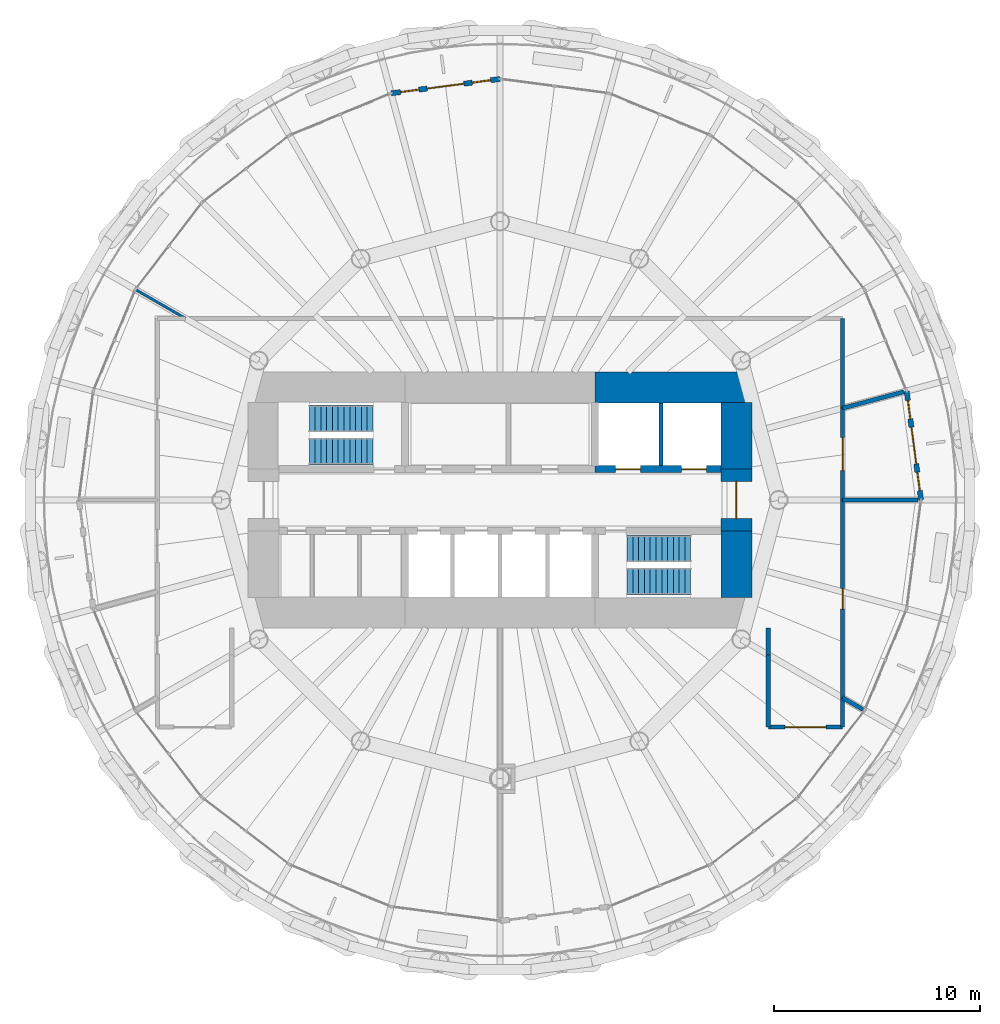
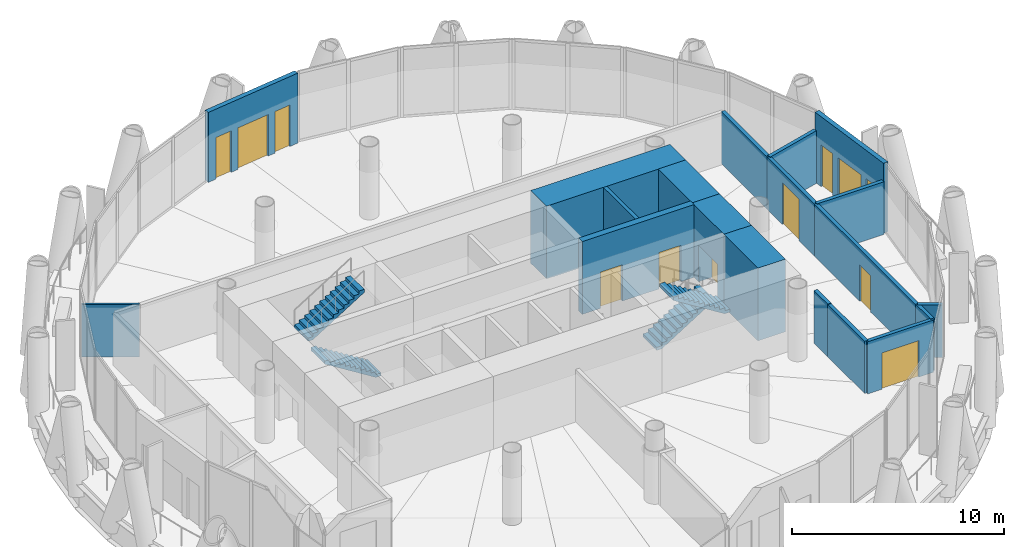
# One storey, part 11 of 14: 19 walls, 8 doors, 4 stair flights, 4 windows, 12 openings, 2 elements without a shape of their own.
"""IFC4 building model written with IfcOpenShell, lengths in metres."""

from ifc_helpers import new_model, si_unit, direction, frame, frame_2d, origin, place, context, subcontext, project, spatial, polyline, rectangle, outline, extrude, material, layer, layer_set, type_object, element, fill, aggregate, save


model = new_model("IFC4")

# Units and contexts
model_context = context("Model", 3, precision=1e-05, world=origin(), true_north=direction((0.0, 1.0)))
body_context = subcontext(model_context, "Body", "Model", "MODEL_VIEW")
ifc_project = project(units=[si_unit("LENGTHUNIT", "METRE"), si_unit("AREAUNIT", "SQUARE_METRE"), si_unit("VOLUMEUNIT", "CUBIC_METRE"), si_unit("PLANEANGLEUNIT", "RADIAN"), si_unit("MASSUNIT", "GRAM", prefix="KILO")], contexts=[model_context])

# Site, building, storey
site_placement = place(None, origin())
site = spatial("IfcSite", under=ifc_project, at=site_placement, CompositionType="ELEMENT")
building_placement = place(site_placement, origin())
building = spatial("IfcBuilding", under=site, at=building_placement, Name="Qaws Media Tower", CompositionType="ELEMENT")
storey_placement = place(building_placement, frame((0.0, 0.0, 215.0)))
storey = spatial("IfcBuildingStorey", under=building, at=storey_placement, Name="L49", CompositionType="ELEMENT", Elevation=215.0)

# Wall, openings, door, windows
ifc_material_1 = material(Name="Precast concrete, exposed finish", Category="concrete")
ifc_layer_1 = layer(ifc_material_1, 0.25)
ifc_layer_set_1 = layer_set([ifc_layer_1], Name="Balcony door wall 250")
wall_type_1 = type_object("IfcWallType", Name="Balcony door wall 250", PredefinedType="SOLIDWALL", material=ifc_layer_set_1)
wall_1_placement = place(storey_placement, frame((80.39990234375, 50.0, 0.0), z_axis=(0.0, 0.0, 1.0), x_axis=(-0.130514991371, 0.991446335929, 0.0)))
wall_1 = element("IfcWall", 1, at=wall_1_placement, inside=storey, type_object=wall_type_1, Name="W235 EW1 balcony door wall L49-01", PredefinedType="SOLIDWALL", context=body_context, shape_type="SweptSolid", body=[
    extrude(rectangle(XDim=5.32568359375, YDim=0.25, at=frame_2d((2.662841796875, 0.0))), origin(), (0.0, 0.0, 1.0), 4.0400390625),
])
opening_1_placement = place(wall_1_placement, frame((1.7626953125, 0.0, 0.0)))
opening_1 = element("IfcOpeningElement", 2, at=opening_1_placement, cuts=wall_1, Name="Opening D7", PredefinedType="OPENING", context=body_context, shape_type="SweptSolid", body=[
    extrude(rectangle(XDim=1.800048828125, YDim=2.39990234375, at=frame_2d((0.89990234375, 1.199951171875))), frame((0.0, 0.135009765625, 0.0), z_axis=(0.0, -1.0, 0.0), x_axis=(1.0, 0.0, 0.0)), (0.0, 0.0, 1.0), 0.27001953125),
])
opening_2_placement = place(wall_1_placement, frame((0.462646484375, 0.0, 0.0)))
opening_2 = element("IfcOpeningElement", 3, at=opening_2_placement, cuts=wall_1, Name="Opening W7", PredefinedType="OPENING", context=body_context, shape_type="SweptSolid", body=[
    extrude(rectangle(XDim=0.89990234375, YDim=2.39990234375, at=frame_2d((0.449951171875, 1.199951171875))), frame((0.0, 0.135009765625, 0.0), z_axis=(0.0, -1.0, 0.0), x_axis=(1.0, 0.0, 0.0)), (0.0, 0.0, 1.0), 0.27001953125),
])
opening_3_placement = place(wall_1_placement, frame((3.962646484375, 0.0, 0.0)))
opening_3 = element("IfcOpeningElement", 4, at=opening_3_placement, cuts=wall_1, Name="Opening W7", PredefinedType="OPENING", context=body_context, shape_type="SweptSolid", body=[
    extrude(rectangle(XDim=0.89990234375, YDim=2.39990234375, at=frame_2d((0.449951171875, 1.199951171875))), frame((0.0, 0.135009765625, 0.0), z_axis=(0.0, -1.0, 0.0), x_axis=(1.0, 0.0, 0.0)), (0.0, 0.0, 1.0), 0.27001953125),
])
ifc_material_2 = material(Name="Aluminium and clear glass", Category="aluminium")
door_type_1 = type_object("IfcDoorType", Name="Balcony door pair 1800", OperationType="DOUBLE_DOOR_SLIDING", PredefinedType="DOOR", material=ifc_material_2)
door_1_placement = place(opening_1_placement, origin())
door_1 = element("IfcDoor", 5, at=door_1_placement, inside=storey, type_object=door_type_1, Name="D7 balcony door L49-01 in wall W235", OperationType="DOUBLE_DOOR_SLIDING", OverallHeight=2.39990234375, OverallWidth=1.800048828125, PredefinedType="DOOR", context=body_context, shape_type="SweptSolid", body=[
    extrude(rectangle(XDim=1.800048828125, YDim=2.39990234375, at=frame_2d((0.89990234375, 1.199951171875))), frame((0.0, 0.02490234375, 0.0), z_axis=(0.0, -1.0, 0.0), x_axis=(1.0, 0.0, 0.0)), (0.0, 0.0, 1.0), 0.050048828125),
])
fill(opening_1, door_1)
ifc_material_3 = material(Name="Aluminium and clear glass", Category="aluminium")
window_type = type_object("IfcWindowType", Name="Balcony side window 900", PartitioningType="SINGLE_PANEL", PredefinedType="WINDOW", material=ifc_material_3)
window_1_placement = place(opening_2_placement, origin())
window_1 = element("IfcWindow", 6, at=window_1_placement, inside=storey, type_object=window_type, Name="W1 balcony side light L49-01L", OverallHeight=2.39990234375, OverallWidth=0.89990234375, PartitioningType="SINGLE_PANEL", PredefinedType="WINDOW", context=body_context, shape_type="SweptSolid", body=[
    extrude(rectangle(XDim=0.89990234375, YDim=2.39990234375, at=frame_2d((0.449951171875, 1.199951171875))), frame((0.0, 0.030029296875, 0.0), z_axis=(0.0, -1.0, 0.0), x_axis=(1.0, 0.0, 0.0)), (0.0, 0.0, 1.0), 0.06005859375),
])
fill(opening_2, window_1)
window_2_placement = place(opening_3_placement, origin())
window_2 = element("IfcWindow", 7, at=window_2_placement, inside=storey, type_object=window_type, Name="W1 balcony side light L49-01R", OverallHeight=2.39990234375, OverallWidth=0.89990234375, PartitioningType="SINGLE_PANEL", PredefinedType="WINDOW", context=body_context, shape_type="SweptSolid", body=[
    extrude(rectangle(XDim=0.89990234375, YDim=2.39990234375, at=frame_2d((0.449951171875, 1.199951171875))), frame((0.0, 0.030029296875, 0.0), z_axis=(0.0, -1.0, 0.0), x_axis=(1.0, 0.0, 0.0)), (0.0, 0.0, 1.0), 0.06005859375),
])
fill(opening_3, window_2)

wall_2_placement = place(storey_placement, frame((60.0, 70.39990234375, 0.0), z_axis=(0.0, 0.0, 1.0), x_axis=(-0.991446335929, -0.130514991371, 0.0)))
wall_2 = element("IfcWall", 8, at=wall_2_placement, inside=storey, type_object=wall_type_1, Name="W234 EW1 balcony door wall L49-07", PredefinedType="SOLIDWALL", context=body_context, shape_type="SweptSolid", body=[
    extrude(rectangle(XDim=5.32568359375, YDim=0.25, at=frame_2d((2.662841796875, 0.0))), origin(), (0.0, 0.0, 1.0), 4.0400390625),
])
opening_4_placement = place(wall_2_placement, frame((1.7626953125, 0.0, 0.0)))
opening_4 = element("IfcOpeningElement", 9, at=opening_4_placement, cuts=wall_2, Name="Opening D7", PredefinedType="OPENING", context=body_context, shape_type="SweptSolid", body=[
    extrude(rectangle(XDim=1.800048828125, YDim=2.39990234375, at=frame_2d((0.89990234375, 1.199951171875))), frame((0.0, 0.135009765625, 0.0), z_axis=(0.0, -1.0, 0.0), x_axis=(1.0, 0.0, 0.0)), (0.0, 0.0, 1.0), 0.27001953125),
])
opening_5_placement = place(wall_2_placement, frame((0.462646484375, 0.0, 0.0)))
opening_5 = element("IfcOpeningElement", 10, at=opening_5_placement, cuts=wall_2, Name="Opening W7", PredefinedType="OPENING", context=body_context, shape_type="SweptSolid", body=[
    extrude(rectangle(XDim=0.89990234375, YDim=2.39990234375, at=frame_2d((0.449951171875, 1.199951171875))), frame((0.0, 0.135009765625, 0.0), z_axis=(0.0, -1.0, 0.0), x_axis=(1.0, 0.0, 0.0)), (0.0, 0.0, 1.0), 0.27001953125),
])
opening_6_placement = place(wall_2_placement, frame((3.962646484375, 0.0, 0.0)))
opening_6 = element("IfcOpeningElement", 11, at=opening_6_placement, cuts=wall_2, Name="Opening W7", PredefinedType="OPENING", context=body_context, shape_type="SweptSolid", body=[
    extrude(rectangle(XDim=0.89990234375, YDim=2.39990234375, at=frame_2d((0.449951171875, 1.199951171875))), frame((0.0, 0.135009765625, 0.0), z_axis=(0.0, -1.0, 0.0), x_axis=(1.0, 0.0, 0.0)), (0.0, 0.0, 1.0), 0.27001953125),
])
door_2_placement = place(opening_4_placement, origin())
door_2 = element("IfcDoor", 12, at=door_2_placement, inside=storey, type_object=door_type_1, Name="D7 balcony door L49-07 in wall W234", OperationType="DOUBLE_DOOR_SLIDING", OverallHeight=2.39990234375, OverallWidth=1.800048828125, PredefinedType="DOOR", context=body_context, shape_type="SweptSolid", body=[
    extrude(rectangle(XDim=1.800048828125, YDim=2.39990234375, at=frame_2d((0.89990234375, 1.199951171875))), frame((0.0, 0.02490234375, 0.0), z_axis=(0.0, -1.0, 0.0), x_axis=(1.0, 0.0, 0.0)), (0.0, 0.0, 1.0), 0.050048828125),
])
fill(opening_4, door_2)
window_3_placement = place(opening_5_placement, origin())
window_3 = element("IfcWindow", 13, at=window_3_placement, inside=storey, type_object=window_type, Name="W1 balcony side light L49-07L", OverallHeight=2.39990234375, OverallWidth=0.89990234375, PartitioningType="SINGLE_PANEL", PredefinedType="WINDOW", context=body_context, shape_type="SweptSolid", body=[
    extrude(rectangle(XDim=0.89990234375, YDim=2.39990234375, at=frame_2d((0.449951171875, 1.199951171875))), frame((0.0, 0.030029296875, 0.0), z_axis=(0.0, -1.0, 0.0), x_axis=(1.0, 0.0, 0.0)), (0.0, 0.0, 1.0), 0.06005859375),
])
fill(opening_5, window_3)
window_4_placement = place(opening_6_placement, origin())
window_4 = element("IfcWindow", 14, at=window_4_placement, inside=storey, type_object=window_type, Name="W1 balcony side light L49-07R", OverallHeight=2.39990234375, OverallWidth=0.89990234375, PartitioningType="SINGLE_PANEL", PredefinedType="WINDOW", context=body_context, shape_type="SweptSolid", body=[
    extrude(rectangle(XDim=0.89990234375, YDim=2.39990234375, at=frame_2d((0.449951171875, 1.199951171875))), frame((0.0, 0.030029296875, 0.0), z_axis=(0.0, -1.0, 0.0), x_axis=(1.0, 0.0, 0.0)), (0.0, 0.0, 1.0), 0.06005859375),
])
fill(opening_6, window_4)

# Wall, openings, doors
ifc_material_4 = material(Name="Concrete C60/75", Category="concrete")
ifc_layer_2 = layer(ifc_material_4, 0.35009765625)
ifc_layer_set_2 = layer_set([ifc_layer_2], Name="Core inner wall 350")
wall_type_2 = type_object("IfcWallType", Name="Core inner wall 350", PredefinedType="SHEAR", material=ifc_layer_set_2)
wall_3_placement = place(storey_placement, frame((64.60009765625, 51.5, 0.0), z_axis=(0.0, 0.0, 1.0), x_axis=(1.0, 0.0, 0.0)))
wall_3 = element("IfcWall", 15, at=wall_3_placement, inside=storey, type_object=wall_type_2, Name="W308 SW5 core wall SPNE L49", PredefinedType="SHEAR", context=body_context, shape_type="SweptSolid", body=[
    extrude(rectangle(XDim=6.119873046875, YDim=0.35009765625, at=frame_2d((3.06005859375, 0.0))), origin(), (0.0, 0.0, 1.0), 4.199951171875),
])
opening_7_placement = place(wall_3_placement, frame((1.0, 0.0, 0.0)))
opening_7 = element("IfcOpeningElement", 16, at=opening_7_placement, cuts=wall_3, Name="Opening LD2", PredefinedType="OPENING", context=body_context, shape_type="SweptSolid", body=[
    extrude(rectangle(XDim=1.199951171875, YDim=2.10009765625, at=frame_2d((0.60009765625, 1.050048828125))), frame((0.0, 0.18505859375, 0.0), z_axis=(0.0, -1.0, 0.0), x_axis=(1.0, 0.0, 0.0)), (0.0, 0.0, 1.0), 0.3701171875),
])
opening_8_placement = place(wall_3_placement, frame((4.199951171875, 0.0, 0.0)))
opening_8 = element("IfcOpeningElement", 17, at=opening_8_placement, cuts=wall_3, Name="Opening LD2", PredefinedType="OPENING", context=body_context, shape_type="SweptSolid", body=[
    extrude(rectangle(XDim=1.199951171875, YDim=2.10009765625, at=frame_2d((0.60009765625, 1.050048828125))), frame((0.0, 0.18505859375, 0.0), z_axis=(0.0, -1.0, 0.0), x_axis=(1.0, 0.0, 0.0)), (0.0, 0.0, 1.0), 0.3701171875),
])
ifc_material_5 = material(Name="Steel, fire rated", Category="steel")
door_type_2 = type_object("IfcDoorType", Name="Lift landing door 1200", OperationType="SLIDING_TO_LEFT", PredefinedType="DOOR", material=ifc_material_5)
door_3_placement = place(opening_7_placement, origin())
door_3 = element("IfcDoor", 18, at=door_3_placement, inside=storey, type_object=door_type_2, Name="FL1 landing door L49 in wall W308", OperationType="SLIDING_TO_LEFT", OverallHeight=2.10009765625, OverallWidth=1.199951171875, PredefinedType="DOOR", context=body_context, shape_type="SweptSolid", body=[
    extrude(rectangle(XDim=1.199951171875, YDim=2.10009765625, at=frame_2d((0.60009765625, 1.050048828125))), frame((0.0, 0.02490234375, 0.0), z_axis=(0.0, -1.0, 0.0), x_axis=(1.0, 0.0, 0.0)), (0.0, 0.0, 1.0), 0.050048828125),
])
fill(opening_7, door_3)
door_4_placement = place(opening_8_placement, origin())
door_4 = element("IfcDoor", 19, at=door_4_placement, inside=storey, type_object=door_type_2, Name="FL2 landing door L49 in wall W308", OperationType="SLIDING_TO_LEFT", OverallHeight=2.10009765625, OverallWidth=1.199951171875, PredefinedType="DOOR", context=body_context, shape_type="SweptSolid", body=[
    extrude(rectangle(XDim=1.199951171875, YDim=2.10009765625, at=frame_2d((0.60009765625, 1.050048828125))), frame((0.0, 0.02490234375, 0.0), z_axis=(0.0, -1.0, 0.0), x_axis=(1.0, 0.0, 0.0)), (0.0, 0.0, 1.0), 0.050048828125),
])
fill(opening_8, door_4)

# Walls
ifc_material_6 = material(Name="Concrete C60/75", Category="concrete")
ifc_layer_3 = layer(ifc_material_6, 1.5)
ifc_layer_set_3 = layer_set([ifc_layer_3], Name="Core wall 1500")
wall_type_3 = type_object("IfcWallType", Name="Core wall 1500", PredefinedType="SHEAR", material=ifc_layer_set_3)
wall_4_placement = place(storey_placement, frame((64.60009765625, 55.449951171875, 0.0), z_axis=(0.0, 0.0, 1.0), x_axis=(1.0, 0.0, 0.0)))
element("IfcWall", 20, at=wall_4_placement, inside=storey, type_object=wall_type_3, Name="W382 SW13 core wall NE L49", PredefinedType="SHEAR", context=body_context, shape_type="SweptSolid", body=[
    extrude(rectangle(XDim=7.599853515625, YDim=1.5, at=frame_2d((3.7998046875, 0.0))), origin(), (0.0, 0.0, 1.0), 4.199951171875),
])
wall_5_placement = place(storey_placement, frame((71.449951171875, 45.280029296875, 0.0), z_axis=(0.0, 0.0, 1.0), x_axis=(0.0, 1.0, 0.0)))
element("IfcWall", 21, at=wall_5_placement, inside=storey, type_object=wall_type_3, Name="W383 SW13 core wall ES L49", PredefinedType="SHEAR", context=body_context, shape_type="SweptSolid", body=[
    extrude(rectangle(XDim=3.219970703125, YDim=1.5, at=frame_2d((1.60986328125, 0.0))), origin(), (0.0, 0.0, 1.0), 4.199951171875),
])

# Wall, opening, door
wall_6_placement = place(storey_placement, frame((71.449951171875, 48.5, 0.0), z_axis=(0.0, 0.0, 1.0), x_axis=(0.0, 1.0, 0.0)))
wall_6 = element("IfcWall", 22, at=wall_6_placement, inside=storey, type_object=wall_type_3, Name="W384 SW13 core wall E L49", PredefinedType="SHEAR", context=body_context, shape_type="SweptSolid", body=[
    extrude(rectangle(XDim=3.0, YDim=1.5, at=frame_2d((1.5, 0.0))), origin(), (0.0, 0.0, 1.0), 4.199951171875),
])
opening_9_placement = place(wall_6_placement, frame((0.60009765625, 0.0, 0.0)))
opening_9 = element("IfcOpeningElement", 23, at=opening_9_placement, cuts=wall_6, Name="Opening D2", PredefinedType="OPENING", context=body_context, shape_type="SweptSolid", body=[
    extrude(rectangle(XDim=1.800048828125, YDim=2.10009765625, at=frame_2d((0.89990234375, 1.050048828125))), frame((0.0, 0.760009765625, 0.0), z_axis=(0.0, -1.0, 0.0), x_axis=(1.0, 0.0, 0.0)), (0.0, 0.0, 1.0), 1.52001953125),
])
ifc_material_7 = material(Name="Steel and glass, fire rated", Category="steel")
door_type_3 = type_object("IfcDoorType", Name="Lobby door pair 1800 FD60", OperationType="DOUBLE_DOOR_DOUBLE_SWING", PredefinedType="DOOR", material=ifc_material_7)
door_5_placement = place(opening_9_placement, origin())
door_5 = element("IfcDoor", 24, at=door_5_placement, inside=storey, type_object=door_type_3, Name="D2 core lobby door E L49 in wall W384", OperationType="DOUBLE_DOOR_DOUBLE_SWING", OverallHeight=2.10009765625, OverallWidth=1.800048828125, PredefinedType="DOOR", context=body_context, shape_type="SweptSolid", body=[
    extrude(rectangle(XDim=1.800048828125, YDim=2.10009765625, at=frame_2d((0.89990234375, 1.050048828125))), frame((0.0, 0.02490234375, 0.0), z_axis=(0.0, -1.0, 0.0), x_axis=(1.0, 0.0, 0.0)), (0.0, 0.0, 1.0), 0.050048828125),
])
fill(opening_9, door_5)

# Walls
wall_7_placement = place(storey_placement, frame((71.449951171875, 51.5, 0.0), z_axis=(0.0, 0.0, 1.0), x_axis=(0.0, 1.0, 0.0)))
element("IfcWall", 25, at=wall_7_placement, inside=storey, type_object=wall_type_3, Name="W385 SW13 core wall EN L49", PredefinedType="SHEAR", context=body_context, shape_type="SweptSolid", body=[
    extrude(rectangle(XDim=3.219970703125, YDim=1.5, at=frame_2d((1.60986328125, 0.0))), origin(), (0.0, 0.0, 1.0), 4.199951171875),
])
ifc_material_8 = material(Name="Two layers gypsum board each side on 75 studs, insulated", Category="gypsum")
ifc_layer_4 = layer(ifc_material_8, 0.125)
ifc_layer_set_4 = layer_set([ifc_layer_4], Name="Meeting room partition 125 Rw 48")
wall_type_4 = type_object("IfcWallType", Name="Meeting room partition 125 Rw 48", PredefinedType="PARTITIONING", material=ifc_layer_set_4)
wall_8_placement = place(storey_placement, frame((44.758056640625, 58.800048828125, 0.0), z_axis=(0.0, 0.0, 1.0), x_axis=(-0.866057440993, 0.499944505821, 0.0)))
element("IfcWall", 26, at=wall_8_placement, inside=storey, type_object=wall_type_4, Name="W602 IW5 partition L49", PredefinedType="PARTITIONING", context=body_context, shape_type="SweptSolid", body=[
    extrude(rectangle(XDim=2.760009765625, YDim=0.125, at=frame_2d((1.3798828125, 0.0))), origin(), (0.0, 0.0, 1.0), 3.0400390625),
])
ifc_material_9 = material(Name="Gypsum board on galvanised metal studs, acoustic double stud, deflection head", Category="gypsum")
ifc_layer_5 = layer(ifc_material_9, 0.199951171875)
ifc_layer_set_5 = layer_set([ifc_layer_5], Name="Room partition 200")
wall_type_5 = type_object("IfcWallType", Name="Room partition 200", PredefinedType="PARTITIONING", material=ifc_layer_set_5)
wall_9_placement = place(storey_placement, frame((76.60009765625, 58.800048828125, 0.0), z_axis=(0.0, 0.0, 1.0), x_axis=(0.0, -1.0, 0.0)))
element("IfcWall", 27, at=wall_9_placement, inside=storey, type_object=wall_type_5, Name="W1581 IW3 partition L49", PredefinedType="PARTITIONING", context=body_context, shape_type="SweptSolid", body=[
    extrude(rectangle(XDim=4.35205078125, YDim=0.199951171875, at=frame_2d((2.176025390625, 0.0))), origin(), (0.0, 0.0, 1.0), 3.011962890625),
])

# Wall, opening, door
wall_10_placement = place(storey_placement, frame((76.60009765625, 54.447998046875, 0.0), z_axis=(0.0, 0.0, 1.0), x_axis=(0.0, -1.0, 0.0)))
wall_10 = element("IfcWall", 28, at=wall_10_placement, inside=storey, type_object=wall_type_5, Name="W1580 IW3 partition L49", PredefinedType="PARTITIONING", context=body_context, shape_type="SweptSolid", body=[
    extrude(rectangle(XDim=4.447998046875, YDim=0.199951171875, at=frame_2d((2.22412109375, 0.0))), origin(), (0.0, 0.0, 1.0), 3.011962890625),
])
opening_10_placement = place(wall_10_placement, frame((1.424072265625, 0.0, 0.0)))
opening_10 = element("IfcOpeningElement", 29, at=opening_10_placement, cuts=wall_10, Name="Opening D16", PredefinedType="OPENING", context=body_context, shape_type="SweptSolid", body=[
    extrude(rectangle(XDim=1.60009765625, YDim=2.39990234375, at=frame_2d((0.800048828125, 1.199951171875))), frame((0.0, 0.10986328125, 0.0), z_axis=(0.0, -1.0, 0.0), x_axis=(1.0, 0.0, 0.0)), (0.0, 0.0, 1.0), 0.219970703125),
])
ifc_material_10 = material(Name="Glazed aluminium, fire rated", Category="aluminium")
door_type_4 = type_object("IfcDoorType", Name="Tenant entrance door pair 1600x2400", OperationType="DOUBLE_DOOR_DOUBLE_SWING", PredefinedType="DOOR", material=ifc_material_10)
door_6_placement = place(opening_10_placement, origin())
door_6 = element("IfcDoor", 30, at=door_6_placement, inside=storey, type_object=door_type_4, Name="D16 Tenant reception door L49 in wall W1580", OperationType="DOUBLE_DOOR_DOUBLE_SWING", OverallHeight=2.39990234375, OverallWidth=1.60009765625, PredefinedType="DOOR", context=body_context, shape_type="SweptSolid", body=[
    extrude(rectangle(XDim=1.60009765625, YDim=2.39990234375, at=frame_2d((0.800048828125, 1.199951171875))), frame((0.0, 0.02490234375, 0.0), z_axis=(0.0, -1.0, 0.0), x_axis=(1.0, 0.0, 0.0)), (0.0, 0.0, 1.0), 0.050048828125),
])
fill(opening_10, door_6)

wall_11_placement = place(storey_placement, frame((76.60009765625, 50.0, 0.0), z_axis=(0.0, 0.0, 1.0), x_axis=(0.0, -1.0, 0.0)))
wall_11 = element("IfcWall", 31, at=wall_11_placement, inside=storey, type_object=wall_type_5, Name="W1401 IW3 partition L49", PredefinedType="PARTITIONING", context=body_context, shape_type="SweptSolid", body=[
    extrude(rectangle(XDim=9.583984375, YDim=0.199951171875, at=frame_2d((4.7919921875, 0.0))), origin(), (0.0, 0.0, 1.0), 3.011962890625),
])
opening_11_placement = place(wall_11_placement, frame((4.2919921875, 0.0, 0.0)))
opening_11 = element("IfcOpeningElement", 32, at=opening_11_placement, cuts=wall_11, Name="Opening D5", PredefinedType="OPENING", context=body_context, shape_type="SweptSolid", body=[
    extrude(rectangle(XDim=1.0, YDim=2.10009765625, at=frame_2d((0.5, 1.050048828125))), frame((0.0, 0.10986328125, 0.0), z_axis=(0.0, -1.0, 0.0), x_axis=(1.0, 0.0, 0.0)), (0.0, 0.0, 1.0), 0.219970703125),
])
ifc_material_11 = material(Name="Timber veneered, acoustic seal", Category="wood")
door_type_5 = type_object("IfcDoorType", Name="Room door 1000", OperationType="SINGLE_SWING_LEFT", PredefinedType="DOOR", material=ifc_material_11)
door_7_placement = place(opening_11_placement, origin())
door_7 = element("IfcDoor", 33, at=door_7_placement, inside=storey, type_object=door_type_5, Name="D5 Tenant office door L49 in wall W1401", OperationType="SINGLE_SWING_LEFT", OverallHeight=2.10009765625, OverallWidth=1.0, PredefinedType="DOOR", context=body_context, shape_type="SweptSolid", body=[
    extrude(rectangle(XDim=1.0, YDim=2.10009765625, at=frame_2d((0.5, 1.050048828125))), frame((0.0, 0.02490234375, 0.0), z_axis=(0.0, -1.0, 0.0), x_axis=(1.0, 0.0, 0.0)), (0.0, 0.0, 1.0), 0.050048828125),
])
fill(opening_11, door_7)

# Wall
wall_12_placement = place(storey_placement, frame((76.60009765625, 40.416015625, 0.0), z_axis=(0.0, 0.0, 1.0), x_axis=(0.0, -1.0, 0.0)))
element("IfcWall", 34, at=wall_12_placement, inside=storey, type_object=wall_type_5, Name="W1263 IW3 partition L49", PredefinedType="PARTITIONING", context=body_context, shape_type="SweptSolid", body=[
    extrude(rectangle(XDim=1.416015625, YDim=0.199951171875, at=frame_2d((0.7080078125, 0.0))), origin(), (0.0, 0.0, 1.0), 3.0400390625),
])

# Wall, opening, door
wall_13_placement = place(storey_placement, frame((76.60009765625, 39.0, 0.0), z_axis=(0.0, 0.0, 1.0), x_axis=(-1.0, 0.0, 0.0)))
wall_13 = element("IfcWall", 35, at=wall_13_placement, inside=storey, type_object=wall_type_5, Name="W1426 IW3 partition L49", PredefinedType="PARTITIONING", context=body_context, shape_type="SweptSolid", body=[
    extrude(rectangle(XDim=3.60009765625, YDim=0.199951171875, at=frame_2d((1.800048828125, 0.0))), origin(), (0.0, 0.0, 1.0), 3.011962890625),
])
opening_12_placement = place(wall_13_placement, frame((0.800048828125, 0.0, 0.0)))
opening_12 = element("IfcOpeningElement", 36, at=opening_12_placement, cuts=wall_13, Name="Opening D6", PredefinedType="OPENING", context=body_context, shape_type="SweptSolid", body=[
    extrude(rectangle(XDim=2.0, YDim=2.10009765625, at=frame_2d((1.0, 1.050048828125))), frame((0.0, 0.10986328125, 0.0), z_axis=(0.0, -1.0, 0.0), x_axis=(1.0, 0.0, 0.0)), (0.0, 0.0, 1.0), 0.219970703125),
])
ifc_material_12 = material(Name="Steel, acoustic, fire rated", Category="steel")
door_type_6 = type_object("IfcDoorType", Name="Room door pair 2000", OperationType="DOUBLE_DOOR_DOUBLE_SWING", PredefinedType="DOOR", material=ifc_material_12)
door_8_placement = place(opening_12_placement, origin())
door_8 = element("IfcDoor", 37, at=door_8_placement, inside=storey, type_object=door_type_6, Name="D6 Tenant office door L49 in wall W1426", OperationType="DOUBLE_DOOR_DOUBLE_SWING", OverallHeight=2.10009765625, OverallWidth=2.0, PredefinedType="DOOR", context=body_context, shape_type="SweptSolid", body=[
    extrude(rectangle(XDim=2.0, YDim=2.10009765625, at=frame_2d((1.0, 1.050048828125))), frame((0.0, 0.02490234375, 0.0), z_axis=(0.0, -1.0, 0.0), x_axis=(1.0, 0.0, 0.0)), (0.0, 0.0, 1.0), 0.050048828125),
])
fill(opening_12, door_8)

# Walls
wall_14_placement = place(storey_placement, frame((73.0, 39.0, 0.0), z_axis=(0.0, 0.0, 1.0), x_axis=(0.0, 1.0, 0.0)))
element("IfcWall", 38, at=wall_14_placement, inside=storey, type_object=wall_type_5, Name="W1371 IW3 partition L49", PredefinedType="PARTITIONING", context=body_context, shape_type="SweptSolid", body=[
    extrude(rectangle(XDim=3.494384765625, YDim=0.199951171875, at=frame_2d((1.7470703125, 0.0))), origin(), (0.0, 0.0, 1.0), 3.011962890625),
])
wall_15_placement = place(storey_placement, frame((73.0, 42.494384765625, 0.0), z_axis=(0.0, 0.0, 1.0), x_axis=(0.0, 1.0, 0.0)))
element("IfcWall", 39, at=wall_15_placement, inside=storey, type_object=wall_type_5, Name="W1576 IW3 partition L49", PredefinedType="PARTITIONING", context=body_context, shape_type="SweptSolid", body=[
    extrude(rectangle(XDim=1.3056640625, YDim=0.199951171875, at=frame_2d((0.65283203125, 0.0))), origin(), (0.0, 0.0, 1.0), 3.0400390625),
])
wall_16_placement = place(storey_placement, frame((76.60009765625, 50.0, 0.0), z_axis=(0.0, 0.0, 1.0), x_axis=(1.0, 0.0, 0.0)))
element("IfcWall", 40, at=wall_16_placement, inside=storey, type_object=wall_type_5, Name="W1579 IW3 partition L49", PredefinedType="PARTITIONING", context=body_context, shape_type="SweptSolid", body=[
    extrude(rectangle(XDim=3.659912109375, YDim=0.199951171875, at=frame_2d((1.830078125, 0.0))), origin(), (0.0, 0.0, 1.0), 3.0400390625),
])
wall_17_placement = place(storey_placement, frame((76.594482421875, 54.446533203125, 0.0), z_axis=(0.0, 0.0, 1.0), x_axis=(0.9659303613, 0.258802119616, 0.0)))
element("IfcWall", 41, at=wall_17_placement, inside=storey, type_object=wall_type_5, Name="W1578 IW3 partition L49", PredefinedType="PARTITIONING", context=body_context, shape_type="SweptSolid", body=[
    extrude(rectangle(XDim=3.080078125, YDim=0.199951171875, at=frame_2d((1.5400390625, 0.0))), origin(), (0.0, 0.0, 1.0), 3.0400390625),
])
wall_18_placement = place(storey_placement, frame((76.593017578125, 40.419921875, 0.0), z_axis=(0.0, 0.0, 1.0), x_axis=(0.866094119867, -0.499880961361, 0.0)))
element("IfcWall", 42, at=wall_18_placement, inside=storey, type_object=wall_type_5, Name="W1577 IW3 partition L49", PredefinedType="PARTITIONING", context=body_context, shape_type="SweptSolid", body=[
    extrude(rectangle(XDim=1.199951171875, YDim=0.199951171875, at=frame_2d((0.60009765625, 0.0))), origin(), (0.0, 0.0, 1.0), 3.0400390625),
])
ifc_material_13 = material(Name="Fire-rated gypsum board shaft wall on galvanised metal studs, deflection head", Category="gypsum")
ifc_layer_6 = layer(ifc_material_13, 0.199951171875)
ifc_layer_set_6 = layer_set([ifc_layer_6], Name="Shaft wall 200")
wall_type_6 = type_object("IfcWallType", Name="Shaft wall 200", PredefinedType="PARTITIONING", material=ifc_layer_set_6)
wall_19_placement = place(storey_placement, frame((67.800048828125, 51.675048828125, 0.0), z_axis=(0.0, 0.0, 1.0), x_axis=(0.0, 1.0, 0.0)))
element("IfcWall", 43, at=wall_19_placement, inside=storey, type_object=wall_type_6, Name="W1874 IW1 shaft wall FL L49", PredefinedType="PARTITIONING", context=body_context, shape_type="SweptSolid", body=[
    extrude(rectangle(XDim=3.02490234375, YDim=0.199951171875, at=frame_2d((1.512451171875, 0.0))), origin(), (0.0, 0.0, 1.0), 4.199951171875),
])

# Stair, stair flights
ifc_material_14 = material(Name="Concrete C40/50", Category="concrete")
stair_type = type_object("IfcStairType", Name="Exit stair", PredefinedType="HALF_TURN_STAIR", material=ifc_material_14)
stair_1_placement = place(storey_placement, origin())
stair_1 = element("IfcStair", 44, at=stair_1_placement, inside=storey, type_object=stair_type, Name="S1 exit stair L49", PredefinedType="HALF_TURN_STAIR")
ifc_material_15 = material(Name="Concrete C40/50", Category="concrete")
stair_flight_type = type_object("IfcStairFlightType", Name="Stair flight 1310", PredefinedType="STRAIGHT", material=ifc_material_15)
stair_flight_1_placement = place(storey_placement, frame((53.840087890625, 52.35498046875, 0.0), z_axis=(0.0, 0.0, 1.0), x_axis=(-1.0, 0.0, 0.0)))
stair_flight_1 = element("IfcStairFlight", 45, at=stair_flight_1_placement, type_object=stair_flight_type, Name="S1 flight 1", NumberOfRisers=12, NumberOfTreads=11, PredefinedType="STRAIGHT", RiserHeight=0.175, TreadLength=0.28, context=body_context, shape_type="SweptSolid", body=[
    extrude(outline(polyline([(0.0, 0.0), (0.0, 0.175048828125), (0.280029296875, 0.175048828125), (0.280029296875, 0.35009765625), (0.56005859375, 0.35009765625), (0.56005859375, 0.52490234375), (0.840087890625, 0.52490234375), (0.840087890625, 0.699951171875), (1.1201171875, 0.699951171875), (1.1201171875, 0.875), (1.39990234375, 0.875), (1.39990234375, 1.050048828125), (1.679931640625, 1.050048828125), (1.679931640625, 1.22509765625), (1.9599609375, 1.22509765625), (1.9599609375, 1.39990234375), (2.239990234375, 1.39990234375), (2.239990234375, 1.574951171875), (2.52001953125, 1.574951171875), (2.52001953125, 1.75), (2.800048828125, 1.75), (2.800048828125, 1.925048828125), (3.080078125, 1.925048828125), (3.080078125, 2.10009765625), (3.080078125, 1.748291015625), (0.28271484375, 0.0), (0.0, 0.0)])), frame((0.0, 0.655029296875, 0.0), z_axis=(0.0, -1.0, 0.0), x_axis=(1.0, 0.0, 0.0)), (0.0, 0.0, 1.0), 1.31005859375),
])
stair_flight_2_placement = place(storey_placement, frame((50.760009765625, 53.945068359375, 2.10009765625), z_axis=(0.0, 0.0, 1.0), x_axis=(1.0, 0.0, 0.0)))
stair_flight_2 = element("IfcStairFlight", 46, at=stair_flight_2_placement, type_object=stair_flight_type, Name="S1 flight 2", NumberOfRisers=12, NumberOfTreads=11, PredefinedType="STRAIGHT", RiserHeight=0.175, TreadLength=0.28, context=body_context, shape_type="SweptSolid", body=[
    extrude(outline(polyline([(0.0, 0.0), (0.0, 0.175048828125), (0.280029296875, 0.175048828125), (0.280029296875, 0.35009765625), (0.56005859375, 0.35009765625), (0.56005859375, 0.52490234375), (0.840087890625, 0.52490234375), (0.840087890625, 0.699951171875), (1.1201171875, 0.699951171875), (1.1201171875, 0.875), (1.39990234375, 0.875), (1.39990234375, 1.050048828125), (1.679931640625, 1.050048828125), (1.679931640625, 1.22509765625), (1.9599609375, 1.22509765625), (1.9599609375, 1.39990234375), (2.239990234375, 1.39990234375), (2.239990234375, 1.574951171875), (2.52001953125, 1.574951171875), (2.52001953125, 1.75), (2.800048828125, 1.75), (2.800048828125, 1.925048828125), (3.080078125, 1.925048828125), (3.080078125, 2.10009765625), (3.080078125, 1.748291015625), (0.28271484375, 0.0), (0.0, 0.0)])), frame((0.0, 0.655029296875, 0.0), z_axis=(0.0, -1.0, 0.0), x_axis=(1.0, 0.0, 0.0)), (0.0, 0.0, 1.0), 1.31005859375),
])
aggregate(stair_1, [stair_flight_1, stair_flight_2])

stair_2_placement = place(storey_placement, origin())
stair_2 = element("IfcStair", 47, at=stair_2_placement, inside=storey, type_object=stair_type, Name="S2 exit stair L49", PredefinedType="HALF_TURN_STAIR")
stair_flight_3_placement = place(storey_placement, frame((66.159912109375, 47.64501953125, 0.0), z_axis=(0.0, 0.0, 1.0), x_axis=(1.0, 0.0, 0.0)))
stair_flight_3 = element("IfcStairFlight", 48, at=stair_flight_3_placement, type_object=stair_flight_type, Name="S2 flight 1", NumberOfRisers=12, NumberOfTreads=11, PredefinedType="STRAIGHT", RiserHeight=0.175, TreadLength=0.28, context=body_context, shape_type="SweptSolid", body=[
    extrude(outline(polyline([(0.0, 0.0), (0.0, 0.175048828125), (0.280029296875, 0.175048828125), (0.280029296875, 0.35009765625), (0.56005859375, 0.35009765625), (0.56005859375, 0.52490234375), (0.840087890625, 0.52490234375), (0.840087890625, 0.699951171875), (1.1201171875, 0.699951171875), (1.1201171875, 0.875), (1.39990234375, 0.875), (1.39990234375, 1.050048828125), (1.679931640625, 1.050048828125), (1.679931640625, 1.22509765625), (1.9599609375, 1.22509765625), (1.9599609375, 1.39990234375), (2.239990234375, 1.39990234375), (2.239990234375, 1.574951171875), (2.52001953125, 1.574951171875), (2.52001953125, 1.75), (2.800048828125, 1.75), (2.800048828125, 1.925048828125), (3.080078125, 1.925048828125), (3.080078125, 2.10009765625), (3.080078125, 1.748291015625), (0.28271484375, 0.0), (0.0, 0.0)])), frame((0.0, 0.655029296875, 0.0), z_axis=(0.0, -1.0, 0.0), x_axis=(1.0, 0.0, 0.0)), (0.0, 0.0, 1.0), 1.31005859375),
])
stair_flight_4_placement = place(storey_placement, frame((69.239990234375, 46.054931640625, 2.10009765625), z_axis=(0.0, 0.0, 1.0), x_axis=(-1.0, 0.0, 0.0)))
stair_flight_4 = element("IfcStairFlight", 49, at=stair_flight_4_placement, type_object=stair_flight_type, Name="S2 flight 2", NumberOfRisers=12, NumberOfTreads=11, PredefinedType="STRAIGHT", RiserHeight=0.175, TreadLength=0.28, context=body_context, shape_type="SweptSolid", body=[
    extrude(outline(polyline([(0.0, 0.0), (0.0, 0.175048828125), (0.280029296875, 0.175048828125), (0.280029296875, 0.35009765625), (0.56005859375, 0.35009765625), (0.56005859375, 0.52490234375), (0.840087890625, 0.52490234375), (0.840087890625, 0.699951171875), (1.1201171875, 0.699951171875), (1.1201171875, 0.875), (1.39990234375, 0.875), (1.39990234375, 1.050048828125), (1.679931640625, 1.050048828125), (1.679931640625, 1.22509765625), (1.9599609375, 1.22509765625), (1.9599609375, 1.39990234375), (2.239990234375, 1.39990234375), (2.239990234375, 1.574951171875), (2.52001953125, 1.574951171875), (2.52001953125, 1.75), (2.800048828125, 1.75), (2.800048828125, 1.925048828125), (3.080078125, 1.925048828125), (3.080078125, 2.10009765625), (3.080078125, 1.748291015625), (0.28271484375, 0.0), (0.0, 0.0)])), frame((0.0, 0.655029296875, 0.0), z_axis=(0.0, -1.0, 0.0), x_axis=(1.0, 0.0, 0.0)), (0.0, 0.0, 1.0), 1.31005859375),
])
aggregate(stair_2, [stair_flight_3, stair_flight_4])

save(model, "model.ifc")
